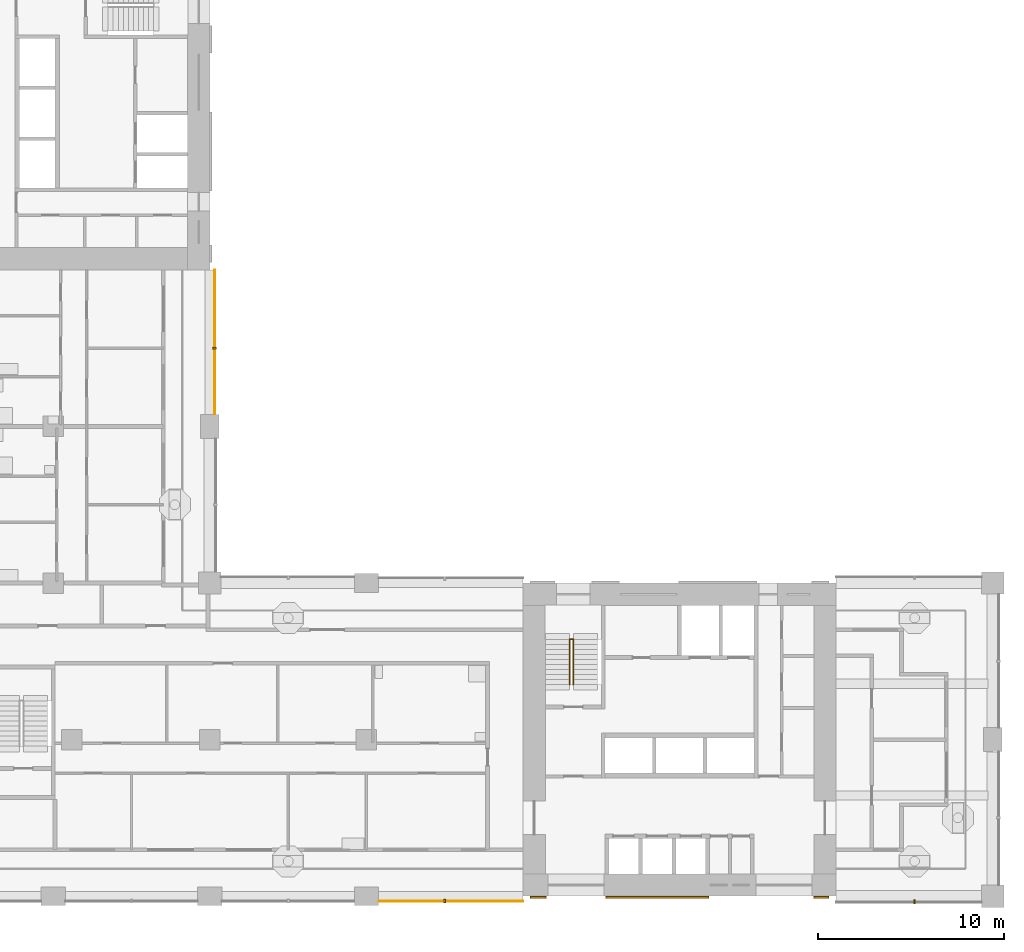
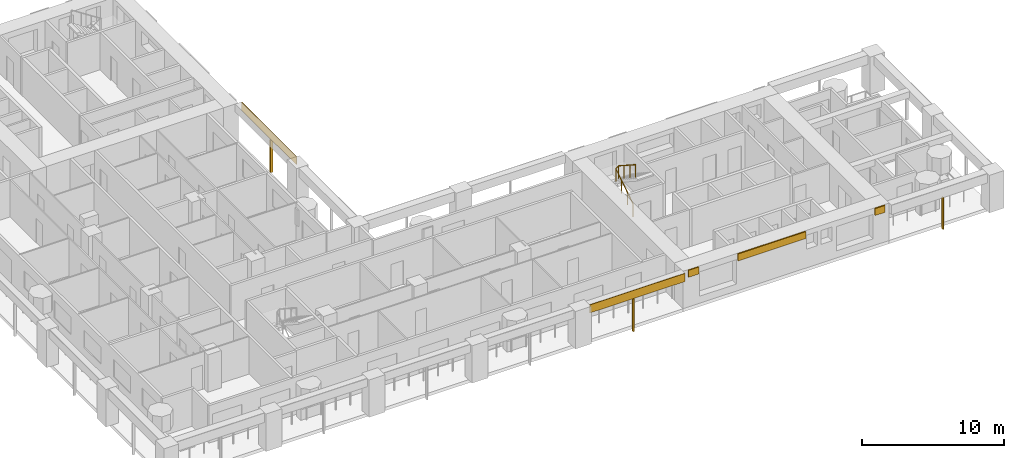
# One storey, part 11 of 18: 8 shading devices, 1 railing.
"""IFC4 building model written with IfcOpenShell, lengths in metres."""

from ifc_helpers import new_model, si_unit, direction, frame, origin, origin_2d, place, context, subcontext, project, spatial, rectangle, circle, extrude, material, layer, layer_set, material_profile, profile_set, type_object, element, save


model = new_model("IFC4")

# Units and contexts
model_context = context("Model", 3, precision=1e-05, world=origin(), true_north=direction((0.0, 1.0)))
body_context = subcontext(model_context, "Body", "Model", "MODEL_VIEW")
ifc_project = project(units=[si_unit("LENGTHUNIT", "METRE"), si_unit("AREAUNIT", "SQUARE_METRE"), si_unit("VOLUMEUNIT", "CUBIC_METRE"), si_unit("PLANEANGLEUNIT", "RADIAN"), si_unit("MASSUNIT", "GRAM", prefix="KILO")], contexts=[model_context])

# Site, building, storey
site_placement = place(None, origin())
site = spatial("IfcSite", under=ifc_project, at=site_placement, CompositionType="ELEMENT")
building_placement = place(site_placement, origin())
building = spatial("IfcBuilding", under=site, at=building_placement, Name="Vermilion Gate Residences", CompositionType="ELEMENT")
storey_placement = place(building_placement, frame((0.0, 0.0, 84.699951171875)))
storey = spatial("IfcBuildingStorey", under=building, at=storey_placement, Name="L20", CompositionType="ELEMENT", Elevation=84.699951171875)

# Shading devices
ifc_material_1 = material(Name="Perforated terracotta", Category="masonry")
ifc_layer_1 = layer(ifc_material_1, 0.0400390625)
ifc_layer_set_1 = layer_set([ifc_layer_1], Name="PERFORATED TERRACOTTA SCREEN 40")
shading_device_type_1 = type_object("IfcShadingDeviceType", Name="PERFORATED TERRACOTTA SCREEN 40", PredefinedType="SHUTTER", material=ifc_layer_set_1)
for number, where, z_axis, x_axis, name in (
    (1, (38.125, 8.1298828125, 2.52001953125), (0.0, 0.0, 1.0), (1.0, 0.0, 0.0), "SCREEN"),
    (2, (25.469970703125, 38.125, 2.52001953125), (0.0, 0.0, 1.0), (0.0, 1.0, 0.0), "SCREEN"),
):
    element("IfcShadingDevice", number, at=place(storey_placement, frame(where, z_axis=z_axis, x_axis=x_axis)), inside=storey, type_object=shading_device_type_1, Name=name, PredefinedType="SHUTTER", context=body_context, shape_type="SweptSolid", body=[
        extrude(rectangle(XDim=7.75, YDim=0.0400390625, at=origin_2d()), origin(), (0.0, 0.0, 1.0), 0.699951171875),
    ])

# Railing
ifc_material_2 = material(Name="Steel S355", Category="steel")
railing_type = type_object("IfcRailingType", Name="STAIR GUARD 1100 STEEL", PredefinedType="GUARDRAIL", material=ifc_material_2)
railing_placement = place(storey_placement, frame((44.5, 19.75, 0.175048828125)))
element("IfcRailing", 3, at=railing_placement, inside=storey, type_object=railing_type, Name="Stair well guard STA1-20", PredefinedType="GUARDRAIL", context=body_context, shape_type="SweptSolid", body=[
    extrude(circle(Radius=0.02392578125, at=origin_2d()), frame((0.0, 0.0, 1.076171875), z_axis=(0.0, 0.839153699163, 0.543894354798), x_axis=(-1.0, 0.0, 0.0)), (0.0, 0.0, 1.0), 2.895751953125),
    extrude(circle(Radius=0.02392578125, at=origin_2d()), frame((0.0, 2.429931640625, 2.65087890625), z_axis=(0.752405939678, 0.0, 0.658699705433), x_axis=(0.0, 1.0, 0.0)), (0.0, 0.0, 1.0), 0.265869140625),
    extrude(circle(Radius=0.02392578125, at=origin_2d()), frame((0.199951171875, 2.429931640625, 2.826171875), z_axis=(0.0, -0.839153699163, 0.543894354798), x_axis=(1.0, 0.0, 0.0)), (0.0, 0.0, 1.0), 2.895751953125),
    extrude(circle(Radius=0.02099609375, at=origin_2d()), origin(), (0.0, 0.0, 1.0), 1.052001953125),
    extrude(circle(Radius=0.02099609375, at=origin_2d()), frame((0.0, 0.81005859375, 0.52490234375)), (0.0, 0.0, 1.0), 1.052001953125),
    extrude(circle(Radius=0.02099609375, at=origin_2d()), frame((0.0, 1.619873046875, 1.050048828125)), (0.0, 0.0, 1.0), 1.052001953125),
    extrude(circle(Radius=0.02099609375, at=origin_2d()), frame((0.0, 2.429931640625, 1.574951171875)), (0.0, 0.0, 1.0), 1.052001953125),
    extrude(circle(Radius=0.02099609375, at=origin_2d()), frame((0.199951171875, 2.429931640625, 1.75)), (0.0, 0.0, 1.0), 1.052001953125),
    extrude(circle(Radius=0.02099609375, at=origin_2d()), frame((0.199951171875, 1.619873046875, 2.27490234375)), (0.0, 0.0, 1.0), 1.052001953125),
    extrude(circle(Radius=0.02099609375, at=origin_2d()), frame((0.199951171875, 0.81005859375, 2.800048828125)), (0.0, 0.0, 1.0), 1.052001953125),
    extrude(circle(Radius=0.02099609375, at=origin_2d()), frame((0.199951171875, 0.0, 3.324951171875)), (0.0, 0.0, 1.0), 1.052001953125),
])

# Shading devices
ifc_material_3 = material(Name="Extruded terracotta", Category="masonry")
ifc_material_profile = material_profile(ifc_material_3, rectangle(XDim=0.199951171875, YDim=0.10009765625, at=origin_2d()), Name="BAGUETTE 100 X 200")
ifc_profile_set = profile_set([ifc_material_profile], Name="Extruded terracotta")
shading_device_type_2 = type_object("IfcShadingDeviceType", Name="TERRACOTTA BAGUETTE 100 X 200", PredefinedType="JALOUSIE", material=ifc_profile_set)
shading_device_1_placement = place(storey_placement, frame((37.800048828125, 8.14990234375, -0.280029296875), z_axis=(0.0, 0.0, 1.0), x_axis=(0.0, 1.0, 0.0)))
element("IfcShadingDevice", 4, at=shading_device_1_placement, inside=storey, type_object=shading_device_type_2, Name="BAGUETTE", PredefinedType="JALOUSIE", context=body_context, shape_type="SweptSolid", body=[
    extrude(rectangle(XDim=0.199951171875, YDim=0.10009765625, at=origin_2d()), origin(), (0.0, 0.0, 1.0), 2.800048828125),
])
shading_device_2_placement = place(storey_placement, frame((63.0, 8.10009765625, -0.280029296875), z_axis=(0.0, 0.0, 1.0), x_axis=(0.0, 1.0, 0.0)))
element("IfcShadingDevice", 5, at=shading_device_2_placement, inside=storey, type_object=shading_device_type_2, Name="BAGUETTE", PredefinedType="JALOUSIE", context=body_context, shape_type="SweptSolid", body=[
    extrude(rectangle(XDim=0.199951171875, YDim=0.10009765625, at=origin_2d()), origin(), (0.0, 0.0, 1.0), 2.7001953125),
])
shading_device_3_placement = place(storey_placement, frame((25.449951171875, 37.800048828125, -0.280029296875), z_axis=(0.0, 0.0, 1.0), x_axis=(-1.0, 0.0, 0.0)))
element("IfcShadingDevice", 6, at=shading_device_3_placement, inside=storey, type_object=shading_device_type_2, Name="BAGUETTE", PredefinedType="JALOUSIE", context=body_context, shape_type="SweptSolid", body=[
    extrude(rectangle(XDim=0.199951171875, YDim=0.10009765625, at=origin_2d()), origin(), (0.0, 0.0, 1.0), 2.800048828125),
])
ifc_material_4 = material(Name="Extruded terracotta", Category="masonry")
ifc_layer_2 = layer(ifc_material_4, 0.10009765625)
ifc_layer_set_2 = layer_set([ifc_layer_2], Name="TERRACOTTA SPANDREL BAND 600 X 100")
shading_device_type_3 = type_object("IfcShadingDeviceType", Name="TERRACOTTA SPANDREL BAND 600 X 100", PredefinedType="USERDEFINED", material=ifc_layer_set_2)
shading_device_4_placement = place(storey_placement, frame((42.824951171875, 8.35009765625, 2.6201171875), z_axis=(0.0, 0.0, 1.0), x_axis=(1.0, 0.0, 0.0)))
element("IfcShadingDevice", 7, at=shading_device_4_placement, inside=storey, type_object=shading_device_type_3, Name="SPANDREL BAND", ObjectType="BAND", PredefinedType="USERDEFINED", context=body_context, shape_type="SweptSolid", body=[
    extrude(rectangle(XDim=0.85009765625, YDim=0.10009765625, at=origin_2d()), origin(), (0.0, 0.0, 1.0), 0.60009765625),
])
shading_device_5_placement = place(storey_placement, frame((49.199951171875, 8.35009765625, 2.6201171875), z_axis=(0.0, 0.0, 1.0), x_axis=(1.0, 0.0, 0.0)))
element("IfcShadingDevice", 8, at=shading_device_5_placement, inside=storey, type_object=shading_device_type_3, Name="SPANDREL BAND", ObjectType="BAND", PredefinedType="USERDEFINED", context=body_context, shape_type="SweptSolid", body=[
    extrude(rectangle(XDim=5.5, YDim=0.10009765625, at=origin_2d()), origin(), (0.0, 0.0, 1.0), 0.60009765625),
])
shading_device_6_placement = place(storey_placement, frame((58.0, 8.35009765625, 2.6201171875), z_axis=(0.0, 0.0, 1.0), x_axis=(1.0, 0.0, 0.0)))
element("IfcShadingDevice", 9, at=shading_device_6_placement, inside=storey, type_object=shading_device_type_3, Name="SPANDREL BAND", ObjectType="BAND", PredefinedType="USERDEFINED", context=body_context, shape_type="SweptSolid", body=[
    extrude(rectangle(XDim=0.800048828125, YDim=0.10009765625, at=origin_2d()), origin(), (0.0, 0.0, 1.0), 0.60009765625),
])

save(model, "model.ifc")
